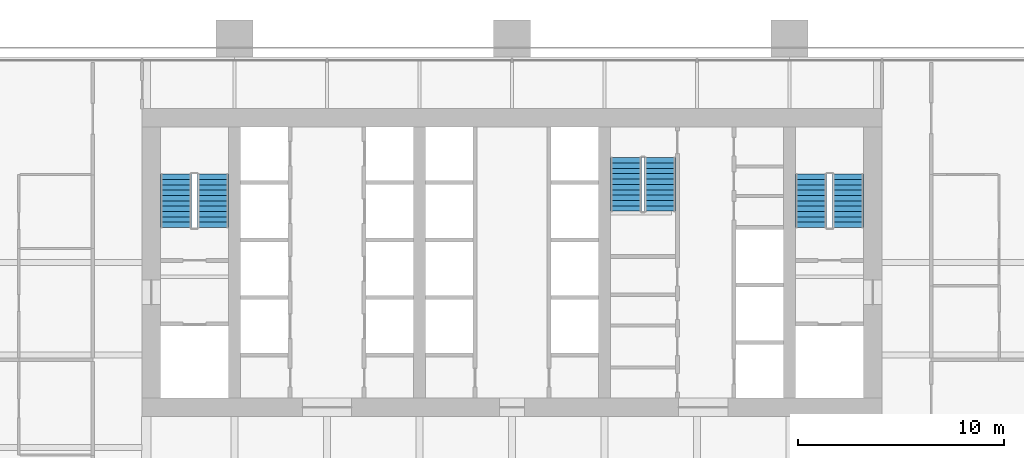
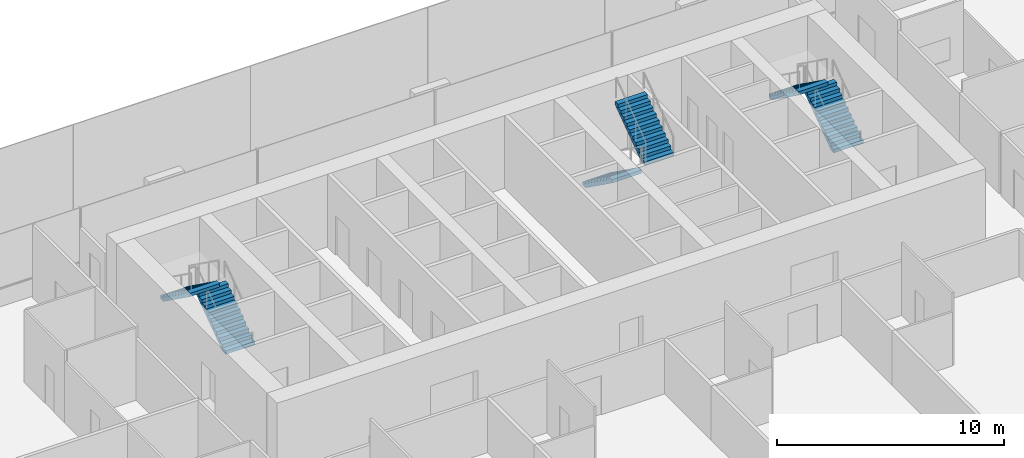
# One storey, part 15 of 18: 6 stair flights, 3 elements without a shape of their own.
"""IFC4 building model written with IfcOpenShell, lengths in metres."""

import ifcopenshell
import ifcopenshell.guid

model = None  # the IFC model being written
_history = None  # IfcOwnerHistory: only IFC2X3 demands one
_inside = {}  # id of a spatial element -> (the spatial element, [elements in it])
_under = {}  # id of a project, library or spatial element -> (it, [spatial elements below it])
_declared = {}  # id of a project -> (the project, [libraries it declares])
_typed = {}  # id of a type object -> (the type object, [elements of that type])
_made_of = {}  # id of a material, layer set ... -> (it, [elements and type objects made of it])


def new_model(schema):
    """Start an empty IFC model of exactly this schema.

    Asked for "IFC4X3", IfcOpenShell would pick the latest addendum, in which some entities
    have other attributes; the version numbers below select the first issue.
    IFC2X3 requires an IfcOwnerHistory on every rooted entity: one is made here for all.
    """
    global model, _history
    if schema == "IFC4X3":
        model = ifcopenshell.file(schema_version=(4, 3, 0, 0))
    else:
        model = ifcopenshell.file(schema=schema)
    _inside.clear()
    _under.clear()
    _declared.clear()
    _typed.clear()
    _made_of.clear()
    _history = None
    if model.schema == "IFC2X3":
        org = make("IfcOrganization", Name="unknown")
        user = make(
            "IfcPersonAndOrganization",
            ThePerson=make("IfcPerson", FamilyName="unknown"),
            TheOrganization=org,
        )
        app = make(
            "IfcApplication",
            ApplicationDeveloper=org,
            Version="unknown",
            ApplicationFullName="unknown",
            ApplicationIdentifier="unknown",
        )
        _history = make(
            "IfcOwnerHistory",
            OwningUser=user,
            OwningApplication=app,
            ChangeAction="ADDED",
            CreationDate=0,
        )
    return model


def make(cls, **values):
    """One entity of the class cls with the attributes given. An attribute that is None is left unset."""
    return model.create_entity(
        cls, **{name: value for name, value in values.items() if value is not None}
    )


def rooted(cls, **values):
    """An entity with a GlobalId (a new one), such as an element, a storey or a relation."""
    return make(cls, GlobalId=ifcopenshell.guid.new(), OwnerHistory=_history, **values)


def si_unit(unit_type, name, prefix=None):
    """IfcSIUnit, for example si_unit("LENGTHUNIT", "METRE", prefix="MILLI")."""
    return make("IfcSIUnit", UnitType=unit_type, Prefix=prefix, Name=name)


def assignment(units):
    """IfcUnitAssignment: the units of a project."""
    return None if units is None else make("IfcUnitAssignment", Units=units)


def point(xyz):
    """IfcCartesianPoint."""
    return None if xyz is None else make("IfcCartesianPoint", Coordinates=xyz)


def direction(xyz):
    """IfcDirection."""
    return None if xyz is None else make("IfcDirection", DirectionRatios=xyz)


def frame(location, z_axis=None, x_axis=None):
    """IfcAxis2Placement3D, a coordinate frame: its origin and axes. An axis left out is left unset."""
    return make(
        "IfcAxis2Placement3D",
        Location=point(location),
        Axis=direction(z_axis),
        RefDirection=direction(x_axis),
    )


def origin():
    """The frame at (0, 0, 0) with its axes left unset."""
    return frame((0.0, 0.0, 0.0))


def place(relative_to, where):
    """IfcLocalPlacement: puts the frame where relative to a parent placement (None: the world)."""
    return make(
        "IfcLocalPlacement", PlacementRelTo=relative_to, RelativePlacement=where
    )


def context(
    kind, dimensions, precision=None, world=None, true_north=None, identifier=None
):
    """IfcGeometricRepresentationContext, for example the 3D "Model" context."""
    return make(
        "IfcGeometricRepresentationContext",
        ContextIdentifier=identifier,
        ContextType=kind,
        CoordinateSpaceDimension=dimensions,
        Precision=precision,
        WorldCoordinateSystem=world,
        TrueNorth=true_north,
    )


def subcontext(parent, identifier, kind, view, scale=None):
    """IfcGeometricRepresentationSubContext, for example "Body" below "Model"."""
    return make(
        "IfcGeometricRepresentationSubContext",
        ContextIdentifier=identifier,
        ContextType=kind,
        ParentContext=parent,
        TargetScale=scale,
        TargetView=view,
    )


def project(units=None, contexts=None):
    """IfcProject with its units and contexts."""
    return rooted(
        "IfcProject",
        Name="project",
        RepresentationContexts=contexts,
        UnitsInContext=assignment(units),
    )


def spatial(cls, under=None, at=None, **own):
    """A site, building, storey or space (cls), placed at a placement, below another one or the project."""
    s = rooted(cls, ObjectPlacement=at, **own)
    if under is not None:
        _under.setdefault(under.id(), (under, []))[1].append(s)
    return s


def polyline(points):
    """IfcPolyline through the points."""
    return make("IfcPolyline", Points=[point(p) for p in points])


def outline(outer, holes=None, kind="AREA"):
    """IfcArbitraryClosedProfileDef: a profile drawn as a closed curve; with holes, ...WithVoids."""
    if holes is None:
        return make("IfcArbitraryClosedProfileDef", ProfileType=kind, OuterCurve=outer)
    return make(
        "IfcArbitraryProfileDefWithVoids",
        ProfileType=kind,
        OuterCurve=outer,
        InnerCurves=holes,
    )


def extrude(swept, where, along, depth):
    """IfcExtrudedAreaSolid: the profile swept, set in the frame where, extruded along a direction by depth."""
    return make(
        "IfcExtrudedAreaSolid",
        SweptArea=swept,
        Position=where,
        ExtrudedDirection=direction(along),
        Depth=depth,
    )


def shape(context_of_items, identifier, shape_type, items):
    """IfcShapeRepresentation: the items that make up one representation, for example the "Body"."""
    return make(
        "IfcShapeRepresentation",
        ContextOfItems=context_of_items,
        RepresentationIdentifier=identifier,
        RepresentationType=shape_type,
        Items=items,
    )


def material(Name=None, Category=None):
    """IfcMaterial."""
    return make("IfcMaterial", Name=Name, Category=Category)


def made_of(thing, what):
    """Note that an element or type object is made of a material, layer set ...; save() writes the relation."""
    if what is not None:
        _made_of.setdefault(what.id(), (what, []))[1].append(thing)
    return thing


def type_object(cls, material=None, **own):
    """A type object (cls), such as IfcWallType, which elements share."""
    return made_of(rooted(cls, **own), material)


def element(
    cls,
    number,
    at=None,
    inside=None,
    cuts=None,
    type_object=None,
    material=None,
    context=None,
    identifier="Body",
    shape_type=None,
    held_by="IfcProductDefinitionShape",
    body=None,
    shapes=None,
    **own,
):
    """One element of the class cls, such as IfcWall. Its Tag is "e" and its number.

    at: its placement. inside: the storey or other place that contains it. cuts: it is an
    opening in that element (IfcRelVoidsElement). A single representation is given by context,
    identifier, shape_type and body (its items); several are given by shapes. held_by: the class
    of the entity that holds the representations. save() writes the other relations.
    """
    e = rooted(cls, Tag="e%d" % number, ObjectPlacement=at, **own)
    if body is not None:
        shapes = [shape(context, identifier, shape_type, body)]
    if shapes is not None:
        e.Representation = make(held_by, Representations=shapes)
    if inside is not None:
        _inside.setdefault(inside.id(), (inside, []))[1].append(e)
    if cuts is not None:
        rooted(
            "IfcRelVoidsElement", RelatingBuildingElement=cuts, RelatedOpeningElement=e
        )
    if type_object is not None:
        _typed.setdefault(type_object.id(), (type_object, []))[1].append(e)
    return made_of(e, material)


def aggregate(whole, parts):
    """IfcRelAggregates: a whole, such as a stair, and the parts it consists of."""
    return rooted("IfcRelAggregates", RelatingObject=whole, RelatedObjects=parts)


def save(model, path):
    """Write the relations noted so far, then the file.

    IfcRelAggregates (storeys below a building ...), IfcRelContainedInSpatialStructure (elements
    in a storey), IfcRelDefinesByType, IfcRelAssociatesMaterial and IfcRelDeclares: one each for
    every whole, place, type object, material and project.
    """
    for whole, parts in _under.values():
        aggregate(whole, parts)
    for where, things in _inside.values():
        rooted(
            "IfcRelContainedInSpatialStructure",
            RelatedElements=things,
            RelatingStructure=where,
        )
    for kind, things in _typed.values():
        rooted("IfcRelDefinesByType", RelatedObjects=things, RelatingType=kind)
    for what, things in _made_of.values():
        rooted("IfcRelAssociatesMaterial", RelatedObjects=things, RelatingMaterial=what)
    for by, libraries in _declared.values():
        rooted("IfcRelDeclares", RelatingContext=by, RelatedDefinitions=libraries)
    model.write(path)


model = new_model("IFC4")

# Units and contexts
model_context = context("Model", 3, precision=1e-05, world=origin(), true_north=direction((0.0, 1.0)))
body_context = subcontext(model_context, "Body", "Model", "MODEL_VIEW")
ifc_project = project(units=[si_unit("LENGTHUNIT", "METRE"), si_unit("AREAUNIT", "SQUARE_METRE"), si_unit("VOLUMEUNIT", "CUBIC_METRE"), si_unit("PLANEANGLEUNIT", "RADIAN"), si_unit("MASSUNIT", "GRAM", prefix="KILO")], contexts=[model_context])

# Site, building, storey
site_placement = place(None, origin())
site = spatial("IfcSite", under=ifc_project, at=site_placement, CompositionType="ELEMENT")
building_placement = place(site_placement, origin())
building = spatial("IfcBuilding", under=site, at=building_placement, Name="Rattan Terrace Tower", CompositionType="ELEMENT")
storey_placement = place(building_placement, frame((0.0, 0.0, 57.0)))
storey = spatial("IfcBuildingStorey", under=building, at=storey_placement, Name="L12", CompositionType="ELEMENT", Elevation=57.0)

# Stair, stair flights
ifc_material_1 = material(Name="Concrete C40/50", Category="concrete")
stair_type = type_object("IfcStairType", Name="Core exit stair 1500", PredefinedType="HALF_TURN_STAIR", material=ifc_material_1)
stair_1_placement = place(storey_placement, origin())
stair_1 = element("IfcStair", 1, at=stair_1_placement, inside=storey, type_object=stair_type, Name="L12 exit stair 1", PredefinedType="HALF_TURN_STAIR")
ifc_material_2 = material(Name="Concrete C40/50", Category="concrete")
stair_flight_type = type_object("IfcStairFlightType", Name="Core exit stair flight 1500", PredefinedType="STRAIGHT", material=ifc_material_2)
stair_flight_1_placement = place(storey_placement, frame((-14.550048828125, 1.699951171875, 0.0), z_axis=(0.0, 0.0, 1.0), x_axis=(0.0, 1.0, 0.0)))
stair_flight_1 = element("IfcStairFlight", 2, at=stair_flight_1_placement, type_object=stair_flight_type, Name="S1 flight 1", NumberOfRisers=11, NumberOfTreads=10, PredefinedType="STRAIGHT", RiserHeight=0.186363636, TreadLength=0.26, context=body_context, shape_type="SweptSolid", body=[
    extrude(outline(polyline([(0.0, 0.0), (0.0, 0.186279296875), (0.260009765625, 0.186279296875), (0.260009765625, 0.372802734375), (0.52001953125, 0.372802734375), (0.52001953125, 0.55908203125), (0.780029296875, 0.55908203125), (0.780029296875, 0.745361328125), (1.0400390625, 0.745361328125), (1.0400390625, 0.931884765625), (1.300048828125, 0.931884765625), (1.300048828125, 1.1181640625), (1.56005859375, 1.1181640625), (1.56005859375, 1.304443359375), (1.820068359375, 1.304443359375), (1.820068359375, 1.490966796875), (2.080078125, 1.490966796875), (2.080078125, 1.67724609375), (2.340087890625, 1.67724609375), (2.340087890625, 1.863525390625), (2.60009765625, 1.863525390625), (2.60009765625, 2.050048828125), (2.60009765625, 1.67919921875), (0.25732421875, 0.0), (0.0, 0.0)])), frame((0.0, 0.75, 0.0), z_axis=(0.0, -1.0, 0.0), x_axis=(1.0, 0.0, 0.0)), (0.0, 0.0, 1.0), 1.5),
])
stair_flight_2_placement = place(storey_placement, frame((-16.35009765625, 4.300048828125, 2.050048828125), z_axis=(0.0, 0.0, 1.0), x_axis=(0.0, -1.0, 0.0)))
stair_flight_2 = element("IfcStairFlight", 3, at=stair_flight_2_placement, type_object=stair_flight_type, Name="S1 flight 2", NumberOfRisers=11, NumberOfTreads=10, PredefinedType="STRAIGHT", RiserHeight=0.186363636, TreadLength=0.26, context=body_context, shape_type="SweptSolid", body=[
    extrude(outline(polyline([(0.0, 0.0), (0.0, 0.186279296875), (0.260009765625, 0.186279296875), (0.260009765625, 0.372802734375), (0.52001953125, 0.372802734375), (0.52001953125, 0.55908203125), (0.780029296875, 0.55908203125), (0.780029296875, 0.745361328125), (1.0400390625, 0.745361328125), (1.0400390625, 0.931884765625), (1.300048828125, 0.931884765625), (1.300048828125, 1.1181640625), (1.56005859375, 1.1181640625), (1.56005859375, 1.304443359375), (1.820068359375, 1.304443359375), (1.820068359375, 1.490966796875), (2.080078125, 1.490966796875), (2.080078125, 1.67724609375), (2.340087890625, 1.67724609375), (2.340087890625, 1.863525390625), (2.60009765625, 1.863525390625), (2.60009765625, 2.050048828125), (2.60009765625, 1.67919921875), (0.25732421875, 0.0), (0.0, 0.0)])), frame((0.0, 0.75, 0.0), z_axis=(0.0, -1.0, 0.0), x_axis=(1.0, 0.0, 0.0)), (0.0, 0.0, 1.0), 1.5),
])
aggregate(stair_1, [stair_flight_1, stair_flight_2])

stair_2_placement = place(storey_placement, origin())
stair_2 = element("IfcStair", 4, at=stair_2_placement, inside=storey, type_object=stair_type, Name="L12 exit stair 2", PredefinedType="HALF_TURN_STAIR")
stair_flight_3_placement = place(storey_placement, frame((16.35009765625, 1.699951171875, 0.0), z_axis=(0.0, 0.0, 1.0), x_axis=(0.0, 1.0, 0.0)))
stair_flight_3 = element("IfcStairFlight", 5, at=stair_flight_3_placement, type_object=stair_flight_type, Name="S2 flight 1", NumberOfRisers=11, NumberOfTreads=10, PredefinedType="STRAIGHT", RiserHeight=0.186363636, TreadLength=0.26, context=body_context, shape_type="SweptSolid", body=[
    extrude(outline(polyline([(0.0, 0.0), (0.0, 0.186279296875), (0.260009765625, 0.186279296875), (0.260009765625, 0.372802734375), (0.52001953125, 0.372802734375), (0.52001953125, 0.55908203125), (0.780029296875, 0.55908203125), (0.780029296875, 0.745361328125), (1.0400390625, 0.745361328125), (1.0400390625, 0.931884765625), (1.300048828125, 0.931884765625), (1.300048828125, 1.1181640625), (1.56005859375, 1.1181640625), (1.56005859375, 1.304443359375), (1.820068359375, 1.304443359375), (1.820068359375, 1.490966796875), (2.080078125, 1.490966796875), (2.080078125, 1.67724609375), (2.340087890625, 1.67724609375), (2.340087890625, 1.863525390625), (2.60009765625, 1.863525390625), (2.60009765625, 2.050048828125), (2.60009765625, 1.67919921875), (0.25732421875, 0.0), (0.0, 0.0)])), frame((0.0, 0.75, 0.0), z_axis=(0.0, -1.0, 0.0), x_axis=(1.0, 0.0, 0.0)), (0.0, 0.0, 1.0), 1.5),
])
stair_flight_4_placement = place(storey_placement, frame((14.550048828125, 4.300048828125, 2.050048828125), z_axis=(0.0, 0.0, 1.0), x_axis=(0.0, -1.0, 0.0)))
stair_flight_4 = element("IfcStairFlight", 6, at=stair_flight_4_placement, type_object=stair_flight_type, Name="S2 flight 2", NumberOfRisers=11, NumberOfTreads=10, PredefinedType="STRAIGHT", RiserHeight=0.186363636, TreadLength=0.26, context=body_context, shape_type="SweptSolid", body=[
    extrude(outline(polyline([(0.0, 0.0), (0.0, 0.186279296875), (0.260009765625, 0.186279296875), (0.260009765625, 0.372802734375), (0.52001953125, 0.372802734375), (0.52001953125, 0.55908203125), (0.780029296875, 0.55908203125), (0.780029296875, 0.745361328125), (1.0400390625, 0.745361328125), (1.0400390625, 0.931884765625), (1.300048828125, 0.931884765625), (1.300048828125, 1.1181640625), (1.56005859375, 1.1181640625), (1.56005859375, 1.304443359375), (1.820068359375, 1.304443359375), (1.820068359375, 1.490966796875), (2.080078125, 1.490966796875), (2.080078125, 1.67724609375), (2.340087890625, 1.67724609375), (2.340087890625, 1.863525390625), (2.60009765625, 1.863525390625), (2.60009765625, 2.050048828125), (2.60009765625, 1.67919921875), (0.25732421875, 0.0), (0.0, 0.0)])), frame((0.0, 0.75, 0.0), z_axis=(0.0, -1.0, 0.0), x_axis=(1.0, 0.0, 0.0)), (0.0, 0.0, 1.0), 1.5),
])
aggregate(stair_2, [stair_flight_3, stair_flight_4])

stair_3_placement = place(storey_placement, origin())
stair_3 = element("IfcStair", 7, at=stair_3_placement, inside=storey, type_object=stair_type, Name="L12 exit stair 3", PredefinedType="HALF_TURN_STAIR")
stair_flight_5_placement = place(storey_placement, frame((5.550048828125, 5.10009765625, 0.0), z_axis=(0.0, 0.0, 1.0), x_axis=(0.0, -1.0, 0.0)))
stair_flight_5 = element("IfcStairFlight", 8, at=stair_flight_5_placement, type_object=stair_flight_type, Name="S3 flight 1", NumberOfRisers=11, NumberOfTreads=10, PredefinedType="STRAIGHT", RiserHeight=0.186363636, TreadLength=0.26, context=body_context, shape_type="SweptSolid", body=[
    extrude(outline(polyline([(0.0, 0.0), (0.0, 0.186279296875), (0.260009765625, 0.186279296875), (0.260009765625, 0.372802734375), (0.52001953125, 0.372802734375), (0.52001953125, 0.55908203125), (0.780029296875, 0.55908203125), (0.780029296875, 0.745361328125), (1.0400390625, 0.745361328125), (1.0400390625, 0.931884765625), (1.300048828125, 0.931884765625), (1.300048828125, 1.1181640625), (1.56005859375, 1.1181640625), (1.56005859375, 1.304443359375), (1.820068359375, 1.304443359375), (1.820068359375, 1.490966796875), (2.080078125, 1.490966796875), (2.080078125, 1.67724609375), (2.340087890625, 1.67724609375), (2.340087890625, 1.863525390625), (2.60009765625, 1.863525390625), (2.60009765625, 2.050048828125), (2.60009765625, 1.67919921875), (0.25732421875, 0.0), (0.0, 0.0)])), frame((0.0, 0.75, 0.0), z_axis=(0.0, -1.0, 0.0), x_axis=(1.0, 0.0, 0.0)), (0.0, 0.0, 1.0), 1.5),
])
stair_flight_6_placement = place(storey_placement, frame((7.199951171875, 2.5, 2.050048828125), z_axis=(0.0, 0.0, 1.0), x_axis=(0.0, 1.0, 0.0)))
stair_flight_6 = element("IfcStairFlight", 9, at=stair_flight_6_placement, type_object=stair_flight_type, Name="S3 flight 2", NumberOfRisers=11, NumberOfTreads=10, PredefinedType="STRAIGHT", RiserHeight=0.186363636, TreadLength=0.26, context=body_context, shape_type="SweptSolid", body=[
    extrude(outline(polyline([(0.0, 0.0), (0.0, 0.186279296875), (0.260009765625, 0.186279296875), (0.260009765625, 0.372802734375), (0.52001953125, 0.372802734375), (0.52001953125, 0.55908203125), (0.780029296875, 0.55908203125), (0.780029296875, 0.745361328125), (1.0400390625, 0.745361328125), (1.0400390625, 0.931884765625), (1.300048828125, 0.931884765625), (1.300048828125, 1.1181640625), (1.56005859375, 1.1181640625), (1.56005859375, 1.304443359375), (1.820068359375, 1.304443359375), (1.820068359375, 1.490966796875), (2.080078125, 1.490966796875), (2.080078125, 1.67724609375), (2.340087890625, 1.67724609375), (2.340087890625, 1.863525390625), (2.60009765625, 1.863525390625), (2.60009765625, 2.050048828125), (2.60009765625, 1.67919921875), (0.25732421875, 0.0), (0.0, 0.0)])), frame((0.0, 0.75, 0.0), z_axis=(0.0, -1.0, 0.0), x_axis=(1.0, 0.0, 0.0)), (0.0, 0.0, 1.0), 1.5),
])
aggregate(stair_3, [stair_flight_5, stair_flight_6])

save(model, "model.ifc")
